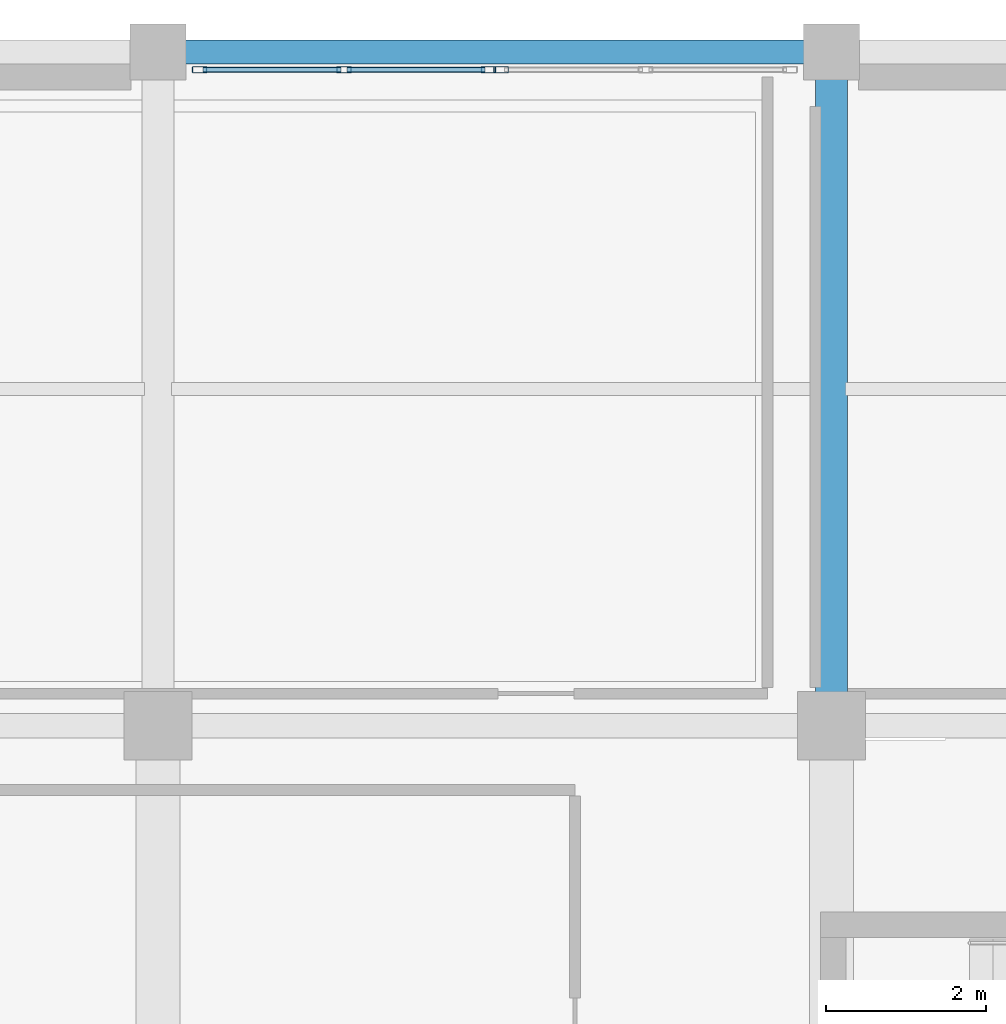
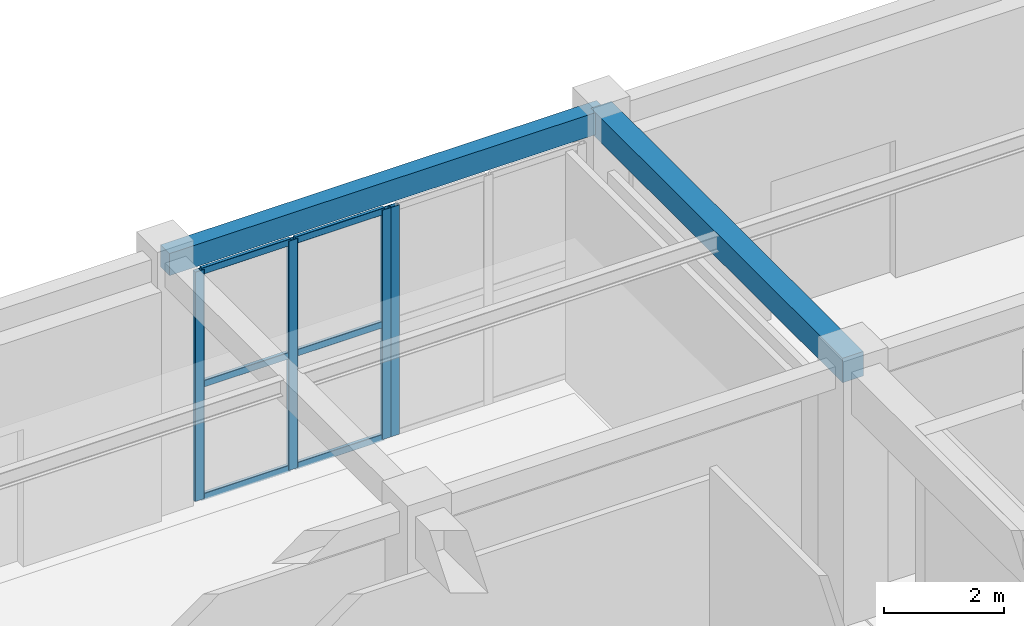
# One storey, part 42 of 98: 10 members, 2 beams, 2 elements without a shape of their own.
"""IFC4 building model written with IfcOpenShell, lengths in metres."""

from ifc_helpers import new_model, si_unit, direction, frame, origin, origin_2d, place, context, subcontext, project, spatial, rectangle, hollow_rectangle, extrude, material, layer, layer_set, material_profile, profile_set, type_object, element, aggregate, save


model = new_model("IFC4")

# Units and contexts
model_context = context("Model", 3, precision=1e-05, world=origin(), true_north=direction((0.0, 1.0)))
body_context = subcontext(model_context, "Body", "Model", "MODEL_VIEW")
ifc_project = project(units=[si_unit("LENGTHUNIT", "METRE"), si_unit("AREAUNIT", "SQUARE_METRE"), si_unit("VOLUMEUNIT", "CUBIC_METRE"), si_unit("PLANEANGLEUNIT", "RADIAN"), si_unit("MASSUNIT", "GRAM", prefix="KILO")], contexts=[model_context])

# Site, building, storey
site_placement = place(None, origin())
site = spatial("IfcSite", under=ifc_project, at=site_placement, CompositionType="ELEMENT")
building_placement = place(site_placement, origin())
building = spatial("IfcBuilding", under=site, at=building_placement, Name="Tarnavel Promenade Courthouse", CompositionType="ELEMENT")
storey_placement = place(building_placement, origin())
storey = spatial("IfcBuildingStorey", under=building, at=storey_placement, Name="L01", CompositionType="ELEMENT", Elevation=0.0)

# Beams
ifc_material_1 = material(Name="Concrete C40/50", Category="concrete")
ifc_material_profile_1 = material_profile(ifc_material_1, rectangle(XDim=0.39990234375, YDim=0.5, at=origin_2d()), Name="RC 400x500")
ifc_profile_set_1 = profile_set([ifc_material_profile_1], Name="Concrete C40/50")
beam_type_1 = type_object("IfcBeamType", Name="Concrete C40/50 BM-RC-400x500 (RC 400x500)", PredefinedType="BEAM", material=ifc_profile_set_1)
beam_1_placement = place(storey_placement, frame((75.60009765625, 104.39990234375, 4.885009765625), z_axis=(0.0, 1.0, 0.0), x_axis=(-1.0, 0.0, 0.0)))
element("IfcBeam", 1, at=beam_1_placement, inside=storey, type_object=beam_type_1, Name="L01 Transverse Girder 0806", PredefinedType="BEAM", context=body_context, shape_type="SweptSolid", body=[
    extrude(rectangle(XDim=0.39990234375, YDim=0.5, at=origin_2d()), origin(), (0.0, 0.0, 1.0), 8.400146484375),
])
ifc_material_profile_2 = material_profile(ifc_material_1, rectangle(XDim=0.300048828125, YDim=0.449951171875, at=origin_2d()), Name="RC 300x450")
ifc_profile_set_2 = profile_set([ifc_material_profile_2], Name="Concrete C40/50")
beam_type_2 = type_object("IfcBeamType", Name="Concrete C40/50 BM-SP-300x450 (RC 300x450)", PredefinedType="SPANDREL", material=ifc_profile_set_2)
beam_2_placement = place(storey_placement, frame((67.199951171875, 112.800048828125, 4.909912109375), z_axis=(1.0, 0.0, 0.0), x_axis=(0.0, 1.0, 0.0)))
element("IfcBeam", 2, at=beam_2_placement, inside=storey, type_object=beam_type_2, Name="L01 Primary Longitudinal Beam 0727", PredefinedType="SPANDREL", context=body_context, shape_type="SweptSolid", body=[
    extrude(rectangle(XDim=0.300048828125, YDim=0.449951171875, at=origin_2d()), origin(), (0.0, 0.0, 1.0), 8.400146484375),
])

# Curtain wall, members
ifc_material_2 = material(Name="Thermally Broken Anodised Aluminium Curtain Wall System", Category="aluminium")
ifc_layer = layer(ifc_material_2, 0.199951171875)
ifc_layer_set = layer_set([ifc_layer], Name="Thermally Broken Anodised Aluminium Curtain Wall System")
curtain_wall_type = type_object("IfcCurtainWallType", Name="Thermally Broken Aluminium Triple-Glazed Curtain Wall CW-FOYER", PredefinedType="NOTDEFINED", material=ifc_layer_set)
curtain_wall_1_placement = place(storey_placement, origin())
curtain_wall_1 = element("IfcCurtainWall", 3, at=curtain_wall_1_placement, inside=storey, type_object=curtain_wall_type, Name="L01 North Foyer Curtain Wall A 122", PredefinedType="NOTDEFINED")
ifc_material_3 = material(Name="Thermally Broken Anodised Aluminium Frame", Category="aluminium")
ifc_material_profile_3 = material_profile(ifc_material_3, hollow_rectangle(XDim=0.080078125, YDim=0.179931640625, WallThickness=0.0048828125, InnerFilletRadius=0.0048828125, OuterFilletRadius=0.010009765625, at=origin_2d()), Name="CWM 180x80x5")
ifc_profile_set_3 = profile_set([ifc_material_profile_3], Name="Thermally Broken Anodised Aluminium Frame")
member_type_1 = type_object("IfcMemberType", Name="Thermally Broken Anodised Aluminium CWM-155 (CWM 180x80x5)", PredefinedType="MULLION", material=ifc_profile_set_3)
member_1_placement = place(storey_placement, frame((67.719970703125, 112.580078125, 0.0), z_axis=(0.0, 0.0, 1.0), x_axis=(0.0, 1.0, 0.0)))
member_1 = element("IfcMember", 4, at=member_1_placement, type_object=member_type_1, Name="CW-04 mullion 1", PredefinedType="MULLION", context=body_context, shape_type="SweptSolid", body=[
    extrude(hollow_rectangle(XDim=0.080078125, YDim=0.179931640625, WallThickness=0.0048828125, InnerFilletRadius=0.0048828125, OuterFilletRadius=0.010009765625, at=origin_2d()), origin(), (0.0, 0.0, 1.0), 4.669921875),
])
member_2_placement = place(storey_placement, frame((69.52001953125, 112.580078125, 0.0), z_axis=(0.0, 0.0, 1.0), x_axis=(0.0, 1.0, 0.0)))
member_2 = element("IfcMember", 5, at=member_2_placement, type_object=member_type_1, Name="CW-04 mullion 2", PredefinedType="MULLION", context=body_context, shape_type="SweptSolid", body=[
    extrude(hollow_rectangle(XDim=0.080078125, YDim=0.179931640625, WallThickness=0.0048828125, InnerFilletRadius=0.0048828125, OuterFilletRadius=0.010009765625, at=origin_2d()), origin(), (0.0, 0.0, 1.0), 4.669921875),
])
member_3_placement = place(storey_placement, frame((71.320068359375, 112.580078125, 0.0), z_axis=(0.0, 0.0, 1.0), x_axis=(0.0, 1.0, 0.0)))
member_3 = element("IfcMember", 6, at=member_3_placement, type_object=member_type_1, Name="CW-04 mullion 3", PredefinedType="MULLION", context=body_context, shape_type="SweptSolid", body=[
    extrude(hollow_rectangle(XDim=0.080078125, YDim=0.179931640625, WallThickness=0.0048828125, InnerFilletRadius=0.0048828125, OuterFilletRadius=0.010009765625, at=origin_2d()), origin(), (0.0, 0.0, 1.0), 4.669921875),
])

# Curtain wall, member
curtain_wall_2_placement = place(storey_placement, origin())
curtain_wall_2 = element("IfcCurtainWall", 7, at=curtain_wall_2_placement, inside=storey, type_object=curtain_wall_type, Name="L01 North Foyer Curtain Wall B 123", PredefinedType="NOTDEFINED")
member_4_placement = place(storey_placement, frame((71.47998046875, 112.580078125, 0.0), z_axis=(0.0, 0.0, 1.0), x_axis=(0.0, 1.0, 0.0)))
member_4 = element("IfcMember", 8, at=member_4_placement, type_object=member_type_1, Name="CW-04 mullion 1", PredefinedType="MULLION", context=body_context, shape_type="SweptSolid", body=[
    extrude(hollow_rectangle(XDim=0.080078125, YDim=0.179931640625, WallThickness=0.0048828125, InnerFilletRadius=0.0048828125, OuterFilletRadius=0.010009765625, at=origin_2d()), origin(), (0.0, 0.0, 1.0), 4.669921875),
])
aggregate(curtain_wall_2, [member_4])

# Member
ifc_material_profile_4 = material_profile(ifc_material_3, hollow_rectangle(XDim=0.070068359375, YDim=0.139892578125, WallThickness=0.0048828125, InnerFilletRadius=0.0048828125, OuterFilletRadius=0.010009765625, at=origin_2d()), Name="CWT 140x70x5")
ifc_profile_set_4 = profile_set([ifc_material_profile_4], Name="Thermally Broken Anodised Aluminium Frame")
member_type_2 = type_object("IfcMemberType", Name="Thermally Broken Anodised Aluminium CWT-125 (CWT 140x70x5)", PredefinedType="USERDEFINED", material=ifc_profile_set_4)
member_5_placement = place(storey_placement, frame((67.760009765625, 112.580078125, 0.034912109375), z_axis=(1.0, 0.0, 0.0), x_axis=(0.0, 1.0, 0.0)))
member_5 = element("IfcMember", 9, at=member_5_placement, type_object=member_type_2, Name="CW-04 transom 1.1", ObjectType="TRANSOM", PredefinedType="USERDEFINED", context=body_context, shape_type="SweptSolid", body=[
    extrude(hollow_rectangle(XDim=0.070068359375, YDim=0.139892578125, WallThickness=0.0048828125, InnerFilletRadius=0.0048828125, OuterFilletRadius=0.010009765625, at=origin_2d()), origin(), (0.0, 0.0, 1.0), 1.719970703125),
])

member_6_placement = place(storey_placement, frame((67.760009765625, 112.580078125, 2.3349609375), z_axis=(1.0, 0.0, 0.0), x_axis=(0.0, 1.0, 0.0)))
member_6 = element("IfcMember", 10, at=member_6_placement, type_object=member_type_2, Name="CW-04 transom 1.2", ObjectType="TRANSOM", PredefinedType="USERDEFINED", context=body_context, shape_type="SweptSolid", body=[
    extrude(hollow_rectangle(XDim=0.070068359375, YDim=0.139892578125, WallThickness=0.0048828125, InnerFilletRadius=0.0048828125, OuterFilletRadius=0.010009765625, at=origin_2d()), origin(), (0.0, 0.0, 1.0), 1.719970703125),
])

member_7_placement = place(storey_placement, frame((67.760009765625, 112.580078125, 4.635009765625), z_axis=(1.0, 0.0, 0.0), x_axis=(0.0, 1.0, 0.0)))
member_7 = element("IfcMember", 11, at=member_7_placement, type_object=member_type_2, Name="CW-04 transom 1.3", ObjectType="TRANSOM", PredefinedType="USERDEFINED", context=body_context, shape_type="SweptSolid", body=[
    extrude(hollow_rectangle(XDim=0.070068359375, YDim=0.139892578125, WallThickness=0.0048828125, InnerFilletRadius=0.0048828125, OuterFilletRadius=0.010009765625, at=origin_2d()), origin(), (0.0, 0.0, 1.0), 1.719970703125),
])

member_8_placement = place(storey_placement, frame((69.56005859375, 112.580078125, 0.034912109375), z_axis=(1.0, 0.0, 0.0), x_axis=(0.0, 1.0, 0.0)))
member_8 = element("IfcMember", 12, at=member_8_placement, type_object=member_type_2, Name="CW-04 transom 2.1", ObjectType="TRANSOM", PredefinedType="USERDEFINED", context=body_context, shape_type="SweptSolid", body=[
    extrude(hollow_rectangle(XDim=0.070068359375, YDim=0.139892578125, WallThickness=0.0048828125, InnerFilletRadius=0.0048828125, OuterFilletRadius=0.010009765625, at=origin_2d()), origin(), (0.0, 0.0, 1.0), 1.719970703125),
])

member_9_placement = place(storey_placement, frame((69.56005859375, 112.580078125, 2.3349609375), z_axis=(1.0, 0.0, 0.0), x_axis=(0.0, 1.0, 0.0)))
member_9 = element("IfcMember", 13, at=member_9_placement, type_object=member_type_2, Name="CW-04 transom 2.2", ObjectType="TRANSOM", PredefinedType="USERDEFINED", context=body_context, shape_type="SweptSolid", body=[
    extrude(hollow_rectangle(XDim=0.070068359375, YDim=0.139892578125, WallThickness=0.0048828125, InnerFilletRadius=0.0048828125, OuterFilletRadius=0.010009765625, at=origin_2d()), origin(), (0.0, 0.0, 1.0), 1.719970703125),
])

member_10_placement = place(storey_placement, frame((69.56005859375, 112.580078125, 4.635009765625), z_axis=(1.0, 0.0, 0.0), x_axis=(0.0, 1.0, 0.0)))
member_10 = element("IfcMember", 14, at=member_10_placement, type_object=member_type_2, Name="CW-04 transom 2.3", ObjectType="TRANSOM", PredefinedType="USERDEFINED", context=body_context, shape_type="SweptSolid", body=[
    extrude(hollow_rectangle(XDim=0.070068359375, YDim=0.139892578125, WallThickness=0.0048828125, InnerFilletRadius=0.0048828125, OuterFilletRadius=0.010009765625, at=origin_2d()), origin(), (0.0, 0.0, 1.0), 1.719970703125),
])

aggregate(curtain_wall_1, [member_1, member_2, member_3, member_5, member_6, member_7, member_8, member_9, member_10])

save(model, "model.ifc")
